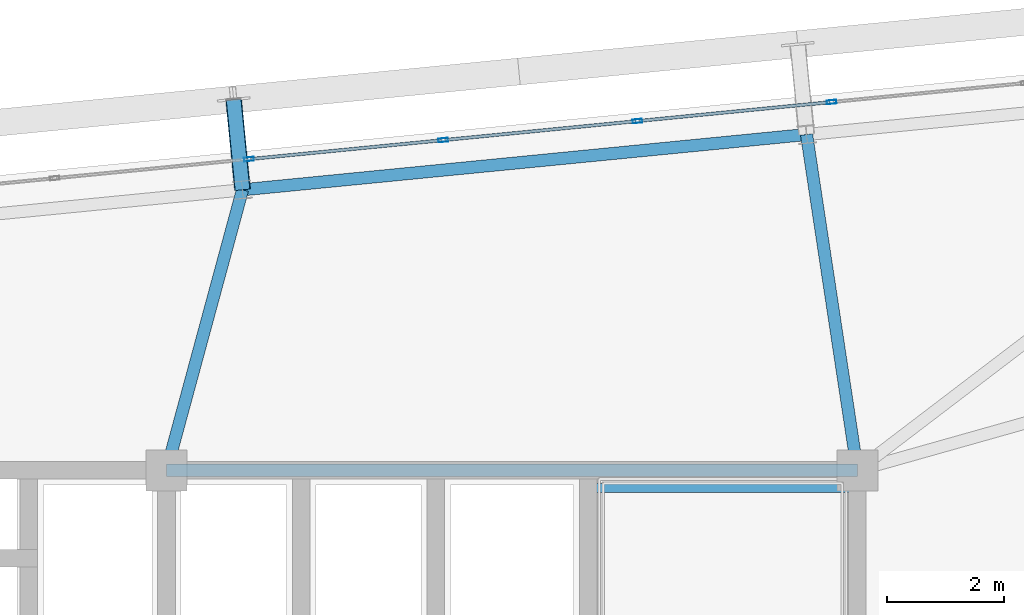
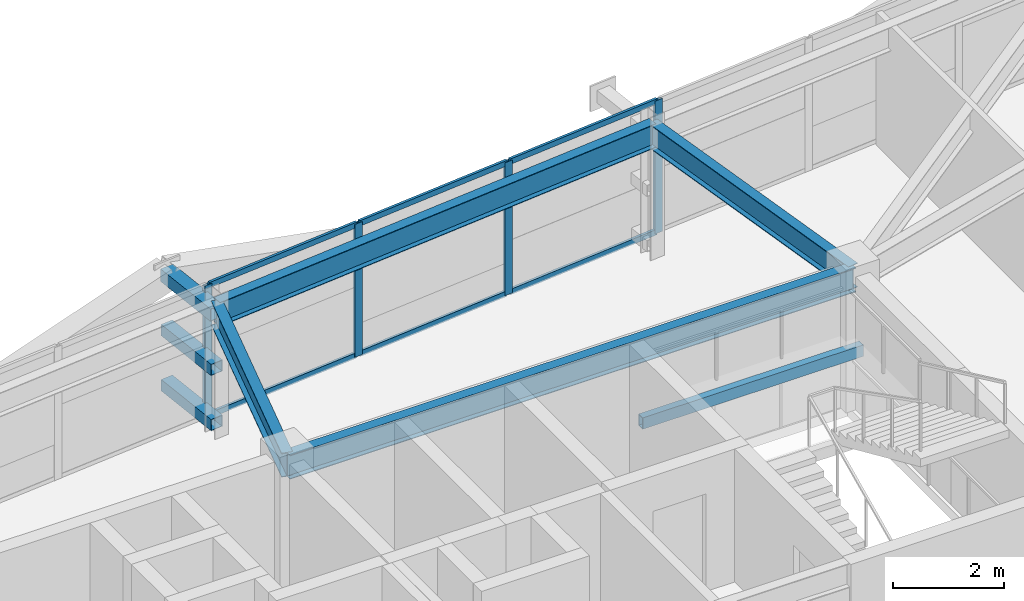
# One storey, part 31 of 52: 13 members, 5 beams, 1 element without a shape of its own.
"""IFC4 building model written with IfcOpenShell, lengths in metres."""

from ifc_helpers import new_model, si_unit, direction, frame, origin, origin_2d, place, context, subcontext, project, spatial, hollow_rectangle, i_section, extrude, source, transform, mapped, material, layer, layer_set, material_profile, profile_set, type_object, element, aggregate, save


model = new_model("IFC4")

# Units and contexts
model_context = context("Model", 3, precision=1e-05, world=origin(), true_north=direction((0.0, 1.0)))
body_context = subcontext(model_context, "Body", "Model", "MODEL_VIEW")
ifc_project = project(units=[si_unit("LENGTHUNIT", "METRE"), si_unit("AREAUNIT", "SQUARE_METRE"), si_unit("VOLUMEUNIT", "CUBIC_METRE"), si_unit("PLANEANGLEUNIT", "RADIAN"), si_unit("MASSUNIT", "GRAM", prefix="KILO")], contexts=[model_context])

# Site, building, storey
site_placement = place(None, origin())
site = spatial("IfcSite", under=ifc_project, at=site_placement, CompositionType="ELEMENT")
building_placement = place(site_placement, origin())
building = spatial("IfcBuilding", under=site, at=building_placement, Name="Taldren Reach Tower", CompositionType="ELEMENT")
storey_placement = place(building_placement, frame((0.0, 0.0, 74.550048828125)))
storey = spatial("IfcBuildingStorey", under=building, at=storey_placement, Name="L22", CompositionType="ELEMENT", Elevation=74.550048828125)

# Beam
ifc_material_1 = material(Name="Steel Gr 350 (350PLUS)", Category="steel")
ifc_material_profile_1 = material_profile(ifc_material_1, i_section(OverallWidth=0.208984375, OverallDepth=0.532958984375, WebThickness=0.01025390625, FlangeThickness=0.015625, at=origin_2d()), Name="530UB92.4")
ifc_profile_set_1 = profile_set([ifc_material_profile_1], Name="Steel Gr 350 (350PLUS)")
beam_type_1 = type_object("IfcBeamType", Name="BM-UB530A", PredefinedType="BEAM", material=ifc_profile_set_1)
shared_shape_1 = source(origin(), body_context, "Body", "SweptSolid", [
    extrude(i_section(OverallWidth=0.208984375, OverallDepth=0.532958984375, WebThickness=0.01025390625, FlangeThickness=0.015625, at=origin_2d()), origin(), (0.0, 0.0, 1.0), 11.800048828125),
])
beam_1_placement = place(storey_placement, frame((39.199951171875, 32.0, 2.663330078125), z_axis=(1.0, 0.0, 0.0), x_axis=(0.0, 1.0, 0.0)))
element("IfcBeam", 1, at=beam_1_placement, inside=storey, type_object=beam_type_1, Name="Core-spine girder L22-SP06", PredefinedType="BEAM", context=body_context, shape_type="MappedRepresentation", body=[
    mapped(shared_shape_1, transform((0.0, 0.0, 0.0), scale=1.0)),
])

# Members
ifc_material_2 = material(Name="Steel Gr 450 (C450L0)", Category="steel")
ifc_material_profile_2 = material_profile(ifc_material_2, hollow_rectangle(XDim=0.27490234375, YDim=0.27490234375, WallThickness=0.00927734375, at=origin_2d()), Name="275x275x9.3SHS")
ifc_profile_set_2 = profile_set([ifc_material_profile_2], Name="Steel Gr 450 (C450L0)")
member_type_1 = type_object("IfcMemberType", Name="MB-TIE273", PredefinedType="STRUT", material=ifc_profile_set_2)
shared_shape_2 = source(origin(), body_context, "Body", "SweptSolid", [
    extrude(hollow_rectangle(XDim=0.27490234375, YDim=0.27490234375, WallThickness=0.00927734375, at=origin_2d()), origin(), (0.0, 0.0, 1.0), 1.5498046875),
])
member_1_placement = place(storey_placement, frame((40.498291015625, 36.790771484375, 2.64990234375), z_axis=(-0.097663201064, 0.995219523099, 0.0), x_axis=(-0.995219523099, -0.097663201064, 0.0)))
element("IfcMember", 2, at=member_1_placement, inside=storey, type_object=member_type_1, Name="Exoskeleton diaphragm tie strut B2-N4 L22", PredefinedType="STRUT", context=body_context, shape_type="MappedRepresentation", body=[
    mapped(shared_shape_2, transform((0.0, 0.0, 0.0), scale=1.0)),
])
ifc_material_3 = material(Name="Steel Gr 350 (C350L0)", Category="steel")
ifc_material_profile_3 = material_profile(ifc_material_3, hollow_rectangle(XDim=0.25, YDim=0.25, WallThickness=0.010009765625, at=origin_2d()), Name="250x250x10.0SHS")
ifc_profile_set_3 = profile_set([ifc_material_profile_3], Name="Steel Gr 350 (C350L0)")
member_type_2 = type_object("IfcMemberType", Name="MB-POST250", PredefinedType="POST", material=ifc_profile_set_3)
shared_shape_3 = source(origin(), body_context, "Body", "SweptSolid", [
    extrude(hollow_rectangle(XDim=0.25, YDim=0.25, WallThickness=0.010009765625, at=origin_2d()), origin(), (0.0, 0.0, 1.0), 1.5498046875),
])
for number, where, z_axis, x_axis, name in (
    (3, (40.498291015625, 36.790771484375, 0.219970703125), (-0.097663201064, 0.995219523099, 0.0), (-0.995219523099, -0.097663201064, 0.0), "Exoskeleton base diaphragm tie strut B2-N4 L22"),
    (4, (40.498291015625, 36.790771484375, 1.43505859375), (-0.097663201064, 0.995219523099, 0.0), (-0.995219523099, -0.097663201064, 0.0), "Exoskeleton mid-tier diaphragm tie B2-N4 L22"),
):
    element("IfcMember", number, at=place(storey_placement, frame(where, z_axis=z_axis, x_axis=x_axis)), inside=storey, type_object=member_type_2, Name=name, PredefinedType="POST", context=body_context, shape_type="MappedRepresentation", body=[
        mapped(shared_shape_3, transform((0.0, 0.0, 0.0), scale=1.0)),
    ])

# Beams
ifc_material_profile_4 = material_profile(ifc_material_1, i_section(OverallWidth=0.208984375, OverallDepth=0.528076171875, WebThickness=0.009521484375, FlangeThickness=0.01318359375, at=origin_2d()), Name="530UB82.0")
ifc_profile_set_4 = profile_set([ifc_material_profile_4], Name="Steel Gr 350 (350PLUS)")
beam_type_2 = type_object("IfcBeamType", Name="SP-UB530B", PredefinedType="SPANDREL", material=ifc_profile_set_4)
shared_shape_4 = source(origin(), body_context, "Body", "SweptSolid", [
    extrude(i_section(OverallWidth=0.208984375, OverallDepth=0.528076171875, WebThickness=0.009521484375, FlangeThickness=0.01318359375, at=origin_2d()), origin(), (0.0, 0.0, 1.0), 9.679931640625),
])
beam_2_placement = place(storey_placement, frame((50.132080078125, 37.7353515625, 2.666015625), z_axis=(-0.995227612658, -0.097580730699, 0.0), x_axis=(0.097580730699, -0.995227612658, 0.0)))
element("IfcBeam", 5, at=beam_2_placement, inside=storey, type_object=beam_type_2, Name="Perimeter spandrel B2 N5-N4 L22", PredefinedType="SPANDREL", context=body_context, shape_type="MappedRepresentation", body=[
    mapped(shared_shape_4, transform((0.0, 0.0, 0.0), scale=1.0)),
])
shared_shape_5 = source(origin(), body_context, "Body", "SweptSolid", [
    extrude(i_section(OverallWidth=0.208984375, OverallDepth=0.532958984375, WebThickness=0.01025390625, FlangeThickness=0.015625, at=origin_2d()), origin(), (0.0, 0.0, 1.0), 5.800537109375),
])
beam_3_placement = place(storey_placement, frame((51.0, 32.0, 2.663330078125), z_axis=(-0.149624592867, 0.988742879221, 0.0), x_axis=(-0.988742879221, -0.149624592867, 0.0)))
element("IfcBeam", 6, at=beam_3_placement, inside=storey, type_object=beam_type_1, Name="Primary floor girder B2-N5 L22", PredefinedType="BEAM", context=body_context, shape_type="MappedRepresentation", body=[
    mapped(shared_shape_5, transform((0.0, 0.0, 0.0), scale=1.0)),
])
shared_shape_6 = source(origin(), body_context, "Body", "SweptSolid", [
    extrude(i_section(OverallWidth=0.208984375, OverallDepth=0.532958984375, WebThickness=0.01025390625, FlangeThickness=0.015625, at=origin_2d()), origin(), (0.0, 0.0, 1.0), 4.963623046875),
])
beam_4_placement = place(storey_placement, frame((39.199951171875, 32.0, 2.663330078125), z_axis=(0.261572995851, 0.965183696423, 0.0), x_axis=(-0.965183696423, 0.261572995851, 0.0)))
element("IfcBeam", 7, at=beam_4_placement, inside=storey, type_object=beam_type_1, Name="Primary floor girder B2-N4 L22", PredefinedType="BEAM", context=body_context, shape_type="MappedRepresentation", body=[
    mapped(shared_shape_6, transform((0.0, 0.0, 0.0), scale=1.0)),
])

# Curtain wall, members
ifc_material_4 = material(Name="Aluminium and Low-E Glass Unitised System", Category="aluminium")
ifc_layer = layer(ifc_material_4, 0.159912109375)
ifc_layer_set = layer_set([ifc_layer], Name="Aluminium and Low-E Glass Unitised System")
curtain_wall_type = type_object("IfcCurtainWallType", Name="CW-SYS-3", PredefinedType="NOTDEFINED", material=ifc_layer_set)
curtain_wall_placement = place(storey_placement, origin())
curtain_wall = element("IfcCurtainWall", 8, at=curtain_wall_placement, inside=storey, type_object=curtain_wall_type, Name="Unitised curtain wall CW-L22-N", PredefinedType="NOTDEFINED")
ifc_material_5 = material(Name="Anodised Aluminium 6063-T6", Category="aluminium")
ifc_material_profile_5 = material_profile(ifc_material_5, hollow_rectangle(XDim=0.06494140625, YDim=0.1650390625, WallThickness=0.00390625, at=origin_2d()), Name="ALU-165x65x4RHS")
ifc_profile_set_5 = profile_set([ifc_material_profile_5], Name="Anodised Aluminium 6063-T6")
member_type_3 = type_object("IfcMemberType", Name="CW-MUL-165", PredefinedType="MULLION", material=ifc_profile_set_5)
shared_shape_7 = source(origin(), body_context, "Body", "SweptSolid", [
    extrude(hollow_rectangle(XDim=0.06494140625, YDim=0.1650390625, WallThickness=0.00390625, at=origin_2d()), origin(), (0.0, 0.0, 1.0), 2.929931640625),
])
member_2_placement = place(storey_placement, frame((50.56005859375, 38.289794921875, 0.0), z_axis=(0.0, 0.0, 1.0), x_axis=(0.097582999046, -0.995227390247, 0.0)))
member_2 = element("IfcMember", 9, at=member_2_placement, type_object=member_type_3, Name="CW-3 mullion 4", PredefinedType="MULLION", context=body_context, shape_type="MappedRepresentation", body=[
    mapped(shared_shape_7, transform((0.0, 0.0, 0.0), scale=1.0)),
])
member_3_placement = place(storey_placement, frame((47.242431640625, 37.96435546875, 0.0), z_axis=(0.0, 0.0, 1.0), x_axis=(0.097582999046, -0.995227390247, 0.0)))
member_3 = element("IfcMember", 10, at=member_3_placement, type_object=member_type_3, Name="CW-3 mullion 5", PredefinedType="MULLION", context=body_context, shape_type="MappedRepresentation", body=[
    mapped(shared_shape_7, transform((0.0, 0.0, 0.0), scale=1.0)),
])
member_4_placement = place(storey_placement, frame((43.925048828125, 37.63916015625, 0.0), z_axis=(0.0, 0.0, 1.0), x_axis=(0.097582999046, -0.995227390247, 0.0)))
member_4 = element("IfcMember", 11, at=member_4_placement, type_object=member_type_3, Name="CW-3 mullion 6", PredefinedType="MULLION", context=body_context, shape_type="MappedRepresentation", body=[
    mapped(shared_shape_7, transform((0.0, 0.0, 0.0), scale=1.0)),
])
member_5_placement = place(storey_placement, frame((40.607666015625, 37.31396484375, 0.0), z_axis=(0.0, 0.0, 1.0), x_axis=(0.097582999046, -0.995227390247, 0.0)))
member_5 = element("IfcMember", 12, at=member_5_placement, type_object=member_type_3, Name="CW-3 mullion 7", PredefinedType="MULLION", context=body_context, shape_type="MappedRepresentation", body=[
    mapped(shared_shape_7, transform((0.0, 0.0, 0.0), scale=1.0)),
])
ifc_material_profile_6 = material_profile(ifc_material_5, hollow_rectangle(XDim=0.054931640625, YDim=0.1201171875, WallThickness=0.0029296875, at=origin_2d()), Name="ALU-120x55x3RHS")
ifc_profile_set_6 = profile_set([ifc_material_profile_6], Name="Anodised Aluminium 6063-T6")
member_type_4 = type_object("IfcMemberType", Name="CW-TRN-135", PredefinedType="USERDEFINED", material=ifc_profile_set_6)
shared_shape_8 = source(origin(), body_context, "Body", "SweptSolid", [
    extrude(hollow_rectangle(XDim=0.054931640625, YDim=0.1201171875, WallThickness=0.0029296875, at=origin_2d()), origin(), (0.0, 0.0, 1.0), 3.268310546875),
])
member_6_placement = place(storey_placement, frame((50.527587890625, 38.28662109375, 0.02734375), z_axis=(-0.995222549564, -0.097632355496, 0.0), x_axis=(0.097632355496, -0.995222549564, 0.0)))
member_6 = element("IfcMember", 13, at=member_6_placement, type_object=member_type_4, Name="CW-3 transom 4.1", ObjectType="TRANSOM", PredefinedType="USERDEFINED", context=body_context, shape_type="MappedRepresentation", body=[
    mapped(shared_shape_8, transform((0.0, 0.0, 0.0), scale=1.0)),
])
member_7_placement = place(storey_placement, frame((50.527587890625, 38.28662109375, 2.90234375), z_axis=(-0.995222549564, -0.097632355496, 0.0), x_axis=(0.097632355496, -0.995222549564, 0.0)))
member_7 = element("IfcMember", 14, at=member_7_placement, type_object=member_type_4, Name="CW-3 transom 4.2", ObjectType="TRANSOM", PredefinedType="USERDEFINED", context=body_context, shape_type="MappedRepresentation", body=[
    mapped(shared_shape_8, transform((0.0, 0.0, 0.0), scale=1.0)),
])
member_8_placement = place(storey_placement, frame((47.210205078125, 37.961181640625, 0.02734375), z_axis=(-0.99522980512, -0.097558367146, 0.0), x_axis=(0.097558367146, -0.99522980512, 0.0)))
member_8 = element("IfcMember", 15, at=member_8_placement, type_object=member_type_4, Name="CW-3 transom 5.1", ObjectType="TRANSOM", PredefinedType="USERDEFINED", context=body_context, shape_type="MappedRepresentation", body=[
    mapped(shared_shape_8, transform((0.0, 0.0, 0.0), scale=1.0)),
])
member_9_placement = place(storey_placement, frame((47.210205078125, 37.961181640625, 2.90234375), z_axis=(-0.99522980512, -0.097558367146, 0.0), x_axis=(0.097558367146, -0.99522980512, 0.0)))
member_9 = element("IfcMember", 16, at=member_9_placement, type_object=member_type_4, Name="CW-3 transom 5.2", ObjectType="TRANSOM", PredefinedType="USERDEFINED", context=body_context, shape_type="MappedRepresentation", body=[
    mapped(shared_shape_8, transform((0.0, 0.0, 0.0), scale=1.0)),
])
member_10_placement = place(storey_placement, frame((43.892822265625, 37.635986328125, 0.02734375), z_axis=(-0.99522980512, -0.097558367146, 0.0), x_axis=(0.097558367146, -0.99522980512, 0.0)))
member_10 = element("IfcMember", 17, at=member_10_placement, type_object=member_type_4, Name="CW-3 transom 6.1", ObjectType="TRANSOM", PredefinedType="USERDEFINED", context=body_context, shape_type="MappedRepresentation", body=[
    mapped(shared_shape_8, transform((0.0, 0.0, 0.0), scale=1.0)),
])
member_11_placement = place(storey_placement, frame((43.892822265625, 37.635986328125, 2.90234375), z_axis=(-0.99522980512, -0.097558367146, 0.0), x_axis=(0.097558367146, -0.99522980512, 0.0)))
member_11 = element("IfcMember", 18, at=member_11_placement, type_object=member_type_4, Name="CW-3 transom 6.2", ObjectType="TRANSOM", PredefinedType="USERDEFINED", context=body_context, shape_type="MappedRepresentation", body=[
    mapped(shared_shape_8, transform((0.0, 0.0, 0.0), scale=1.0)),
])
aggregate(curtain_wall, [member_2, member_3, member_4, member_5, member_6, member_7, member_8, member_9, member_10, member_11])

# Beam
ifc_material_profile_7 = material_profile(ifc_material_3, hollow_rectangle(XDim=0.14990234375, YDim=0.25, WallThickness=0.009033203125, at=origin_2d()), Name="250x150x9.0RHS")
ifc_profile_set_7 = profile_set([ifc_material_profile_7], Name="Steel Gr 350 (C350L0)")
beam_type_3 = type_object("IfcBeamType", Name="LN-RHS250", PredefinedType="LINTEL", material=ifc_profile_set_7)
shared_shape_9 = source(origin(), body_context, "Body", "SweptSolid", [
    extrude(hollow_rectangle(XDim=0.14990234375, YDim=0.25, WallThickness=0.009033203125, at=origin_2d()), origin(), (0.0, 0.0, 1.0), 4.60009765625),
])
beam_5_placement = place(storey_placement, frame((46.39990234375, 31.699951171875, 1.27001953125), z_axis=(1.0, 0.0, 0.0), x_axis=(0.0, 1.0, 0.0)))
element("IfcBeam", 19, at=beam_5_placement, inside=storey, type_object=beam_type_3, Name="Stair half-landing support beam ST2-L22-2", PredefinedType="LINTEL", context=body_context, shape_type="MappedRepresentation", body=[
    mapped(shared_shape_9, transform((0.0, 0.0, 0.0), scale=1.0)),
])

save(model, "model.ifc")
